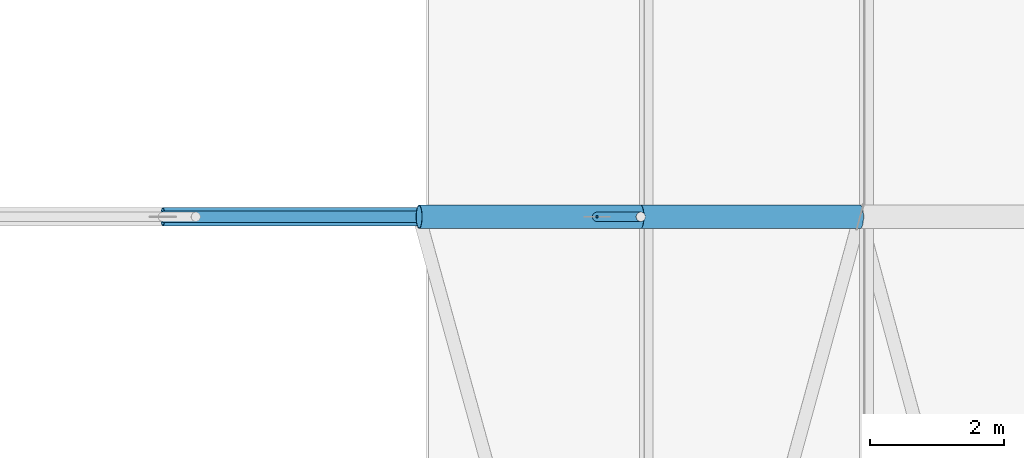
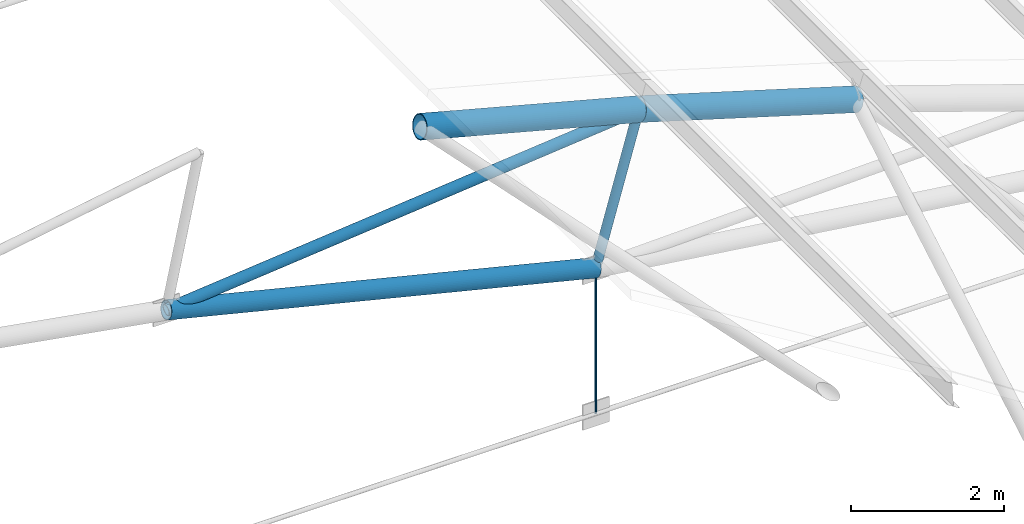
# One storey, part 189 of 321: 6 members.
"""IFC4 building model written with IfcOpenShell, lengths in metres."""

from ifc_helpers import new_model, si_unit, direction, frame, origin, origin_2d, place, context, subcontext, project, spatial, circle, hollow_circle, extrude, material, material_profile, profile_set, type_object, element, save


model = new_model("IFC4")

# Units and contexts
model_context = context("Model", 3, precision=1e-05, world=origin(), true_north=direction((0.0, 1.0)))
body_context = subcontext(model_context, "Body", "Model", "MODEL_VIEW")
ifc_project = project(units=[si_unit("LENGTHUNIT", "METRE"), si_unit("AREAUNIT", "SQUARE_METRE"), si_unit("VOLUMEUNIT", "CUBIC_METRE"), si_unit("PLANEANGLEUNIT", "RADIAN"), si_unit("MASSUNIT", "GRAM", prefix="KILO")], contexts=[model_context])

# Site, building, storey
site_placement = place(None, origin())
site = spatial("IfcSite", under=ifc_project, at=site_placement, CompositionType="ELEMENT")
building_placement = place(site_placement, origin())
building = spatial("IfcBuilding", under=site, at=building_placement, Name="Ravi Spectrum Wholesale Market", CompositionType="ELEMENT")
storey_placement = place(building_placement, frame((0.0, 0.0, 10.800048828125)))
storey = spatial("IfcBuildingStorey", under=building, at=storey_placement, Name="L02", CompositionType="ELEMENT", Elevation=10.800048828125)

# Members
ifc_material_1 = material(Name="Steel S355", Category="steel")
ifc_material_profile_1 = material_profile(ifc_material_1, hollow_circle(Radius=0.06982421875, WallThickness=0.0048828125, at=origin_2d()))
ifc_profile_set_1 = profile_set([ifc_material_profile_1], Name="Steel S355")
member_type_1 = type_object("IfcMemberType", Name="CHS 139.7x5 post", PredefinedType="POST", material=ifc_profile_set_1)
member_1_placement = place(storey_placement, frame((97.103759765625, 162.0, 4.661376953125), z_axis=(-0.272503703517, 0.0, -0.962154733694), x_axis=(0.0, -1.0, 0.0)))
element("IfcMember", 1, at=member_1_placement, inside=storey, type_object=member_type_1, Name="H1-MB-L02-955", PredefinedType="POST", context=body_context, shape_type="SweptSolid", body=[
    extrude(hollow_circle(Radius=0.06982421875, WallThickness=0.0048828125, at=origin_2d()), origin(), (0.0, 0.0, 1.0), 2.400146484375),
])
ifc_material_2 = material(Name="Steel S355", Category="steel")
ifc_material_profile_2 = material_profile(ifc_material_2, hollow_circle(Radius=0.084228515625, WallThickness=0.00634765625, at=origin_2d()))
ifc_profile_set_2 = profile_set([ifc_material_profile_2], Name="Steel S355")
member_type_2 = type_object("IfcMemberType", Name="CHS 168.3x6.3 brace", PredefinedType="BRACE", material=ifc_profile_set_2)
member_2_placement = place(storey_placement, frame((97.103759765625, 162.0, 4.661376953125), z_axis=(-0.995140525262, 0.0, -0.098464892124), x_axis=(0.0, -1.0, 0.0)))
element("IfcMember", 2, at=member_2_placement, inside=storey, type_object=member_type_2, Name="H1-MB-L02-965", PredefinedType="BRACE", context=body_context, shape_type="SweptSolid", body=[
    extrude(hollow_circle(Radius=0.084228515625, WallThickness=0.00634765625, at=origin_2d()), origin(), (0.0, 0.0, 1.0), 7.1904296875),
])
ifc_material_3 = material(Name="Steel S355", Category="steel")
ifc_material_profile_3 = material_profile(ifc_material_3, hollow_circle(Radius=0.136474609375, WallThickness=0.010009765625, at=origin_2d()))
ifc_profile_set_3 = profile_set([ifc_material_profile_3], Name="Steel S355")
member_type_3 = type_object("IfcMemberType", Name="CHS 273x10 chord", PredefinedType="CHORD", material=ifc_profile_set_3)
member_3_placement = place(storey_placement, frame((89.9482421875, 162.0, 3.953369140625), z_axis=(0.970981670562, 0.0, -0.23915391578), x_axis=(0.0, 1.0, 0.0)))
element("IfcMember", 3, at=member_3_placement, inside=storey, type_object=member_type_3, Name="H1-MB-L02-943", PredefinedType="CHORD", context=body_context, shape_type="SweptSolid", body=[
    extrude(hollow_circle(Radius=0.136474609375, WallThickness=0.010009765625, at=origin_2d()), origin(), (0.0, 0.0, 1.0), 6.69580078125),
])
ifc_material_4 = material(Name="Steel S355", Category="steel")
ifc_material_profile_4 = material_profile(ifc_material_4, hollow_circle(Radius=0.177734375, WallThickness=0.012451171875, at=origin_2d()))
ifc_profile_set_4 = profile_set([ifc_material_profile_4], Name="Steel S355")
member_type_4 = type_object("IfcMemberType", Name="CHS 355.6x12.5 chord", PredefinedType="CHORD", material=ifc_profile_set_4)
for number, where, z_axis, x_axis, name in (
    (4, (93.786865234375, 162.0, 5.5390625), (0.966728003216, 0.0, -0.255806504605), (0.0, 1.0, 0.0), "H1-MB-L02-929"),
    (5, (97.103759765625, 162.0, 4.661376953125), (0.957299848506, 0.0, -0.289096869666), (0.0, 1.0, 0.0), "H1-MB-L02-930"),
):
    element("IfcMember", number, at=place(storey_placement, frame(where, z_axis=z_axis, x_axis=x_axis)), inside=storey, type_object=member_type_4, Name=name, PredefinedType="CHORD", context=body_context, shape_type="SweptSolid", body=[
        extrude(hollow_circle(Radius=0.177734375, WallThickness=0.012451171875, at=origin_2d()), origin(), (0.0, 0.0, 1.0), 3.43115234375),
    ])
ifc_material_5 = material(Name="Steel S355", Category="steel")
ifc_material_profile_5 = material_profile(ifc_material_5, circle(Radius=0.01806640625, at=origin_2d()))
ifc_profile_set_5 = profile_set([ifc_material_profile_5], Name="Steel S355")
member_type_5 = type_object("IfcMemberType", Name="ROD 36 hanger", PredefinedType="STRUT", material=ifc_profile_set_5)
member_4_placement = place(storey_placement, frame((96.44970703125, 162.0, 0.023193359375), z_axis=(0.0, 0.0, 1.0), x_axis=(1.0, 0.0, 0.0)))
element("IfcMember", 6, at=member_4_placement, inside=storey, type_object=member_type_5, Name="H1-MB-L02-972", PredefinedType="STRUT", context=body_context, shape_type="SweptSolid", body=[
    extrude(circle(Radius=0.01806640625, at=origin_2d()), origin(), (0.0, 0.0, 1.0), 2.328857421875),
])

save(model, "model.ifc")
